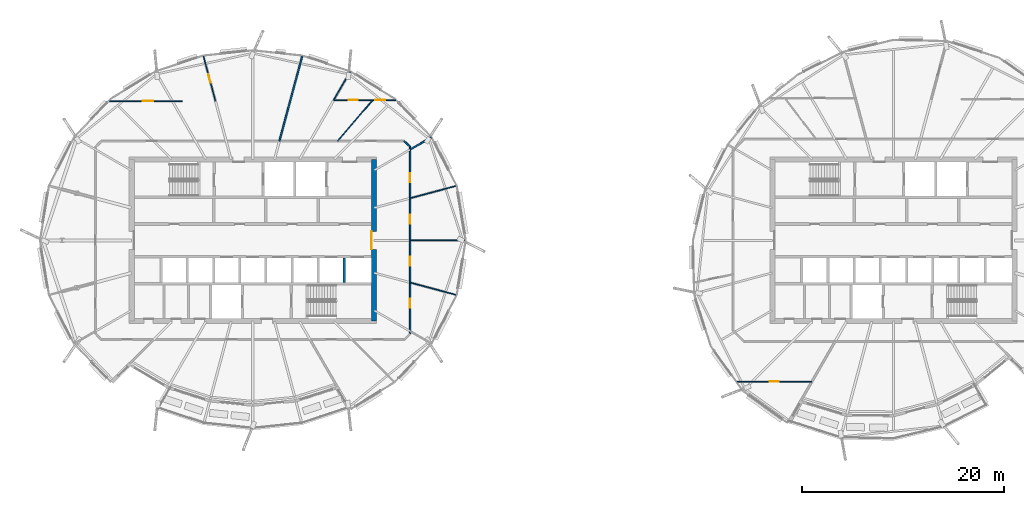
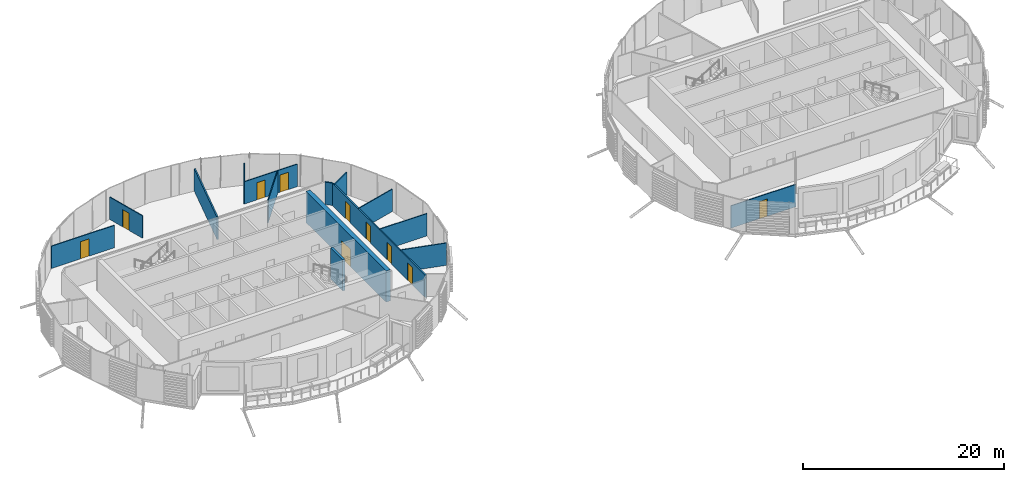
# One storey, part 22 of 41: 16 walls, 10 doors, 10 openings.
"""IFC4 building model written with IfcOpenShell, lengths in metres."""

from ifc_helpers import new_model, si_unit, direction, frame, frame_2d, origin, place, context, subcontext, project, spatial, rectangle, extrude, material, layer, layer_set, type_object, element, fill, save


model = new_model("IFC4")

# Units and contexts
model_context = context("Model", 3, precision=1e-05, world=origin(), true_north=direction((0.0, 1.0)))
body_context = subcontext(model_context, "Body", "Model", "MODEL_VIEW")
ifc_project = project(units=[si_unit("LENGTHUNIT", "METRE"), si_unit("AREAUNIT", "SQUARE_METRE"), si_unit("VOLUMEUNIT", "CUBIC_METRE"), si_unit("PLANEANGLEUNIT", "RADIAN"), si_unit("MASSUNIT", "GRAM", prefix="KILO")], contexts=[model_context])

# Site, building, storey
site_placement = place(None, origin())
site = spatial("IfcSite", under=ifc_project, at=site_placement, CompositionType="ELEMENT")
building_placement = place(site_placement, origin())
building = spatial("IfcBuilding", under=site, at=building_placement, Name="Rimbun Link Towers", CompositionType="ELEMENT")
storey_placement = place(building_placement, frame((0.0, 0.0, 210.5)))
storey = spatial("IfcBuildingStorey", under=building, at=storey_placement, Name="L51", CompositionType="ELEMENT", Elevation=210.5)

# Wall, opening, door
ifc_material_1 = material(Name="Concrete C60/75", Category="concrete")
ifc_layer_1 = layer(ifc_material_1, 0.5)
ifc_layer_set_1 = layer_set([ifc_layer_1], Name="Core shear wall 500")
wall_type_1 = type_object("IfcWallType", Name="Core shear wall 500", PredefinedType="SHEAR", material=ifc_layer_set_1)
wall_1_placement = place(storey_placement, frame((-19.75, -8.0, 0.0), z_axis=(0.0, 0.0, 1.0), x_axis=(0.0, 1.0, 0.0)))
wall_1 = element("IfcWall", 1, at=wall_1_placement, inside=storey, type_object=wall_type_1, Name="L51 T1 core wall E", PredefinedType="SHEAR", context=body_context, shape_type="SweptSolid", body=[
    extrude(rectangle(XDim=16.0, YDim=0.5, at=frame_2d((8.0, 0.0))), origin(), (0.0, 0.0, 1.0), 3.800048828125),
])
opening_1_placement = place(wall_1_placement, frame((7.10009765625, 0.0, 0.0)))
opening_1 = element("IfcOpeningElement", 2, at=opening_1_placement, cuts=wall_1, Name="Opening C1DCL01E", PredefinedType="OPENING", context=body_context, shape_type="SweptSolid", body=[
    extrude(rectangle(XDim=1.800048828125, YDim=2.10009765625, at=frame_2d((0.89990234375, 1.050048828125))), frame((0.0, 0.260009765625, 0.0), z_axis=(0.0, -1.0, 0.0), x_axis=(1.0, 0.0, 0.0)), (0.0, 0.0, 1.0), 0.52001953125),
])
ifc_material_2 = material(Name="Steel fire door set", Category="steel")
door_type_1 = type_object("IfcDoorType", Name="Core lobby door double", OperationType="DOUBLE_DOOR_SINGLE_SWING", PredefinedType="DOOR", material=ifc_material_2)
door_1_placement = place(opening_1_placement, origin())
door_1 = element("IfcDoor", 3, at=door_1_placement, inside=storey, type_object=door_type_1, Name="L51 T1 lift lobby door", OperationType="DOUBLE_DOOR_SINGLE_SWING", OverallHeight=2.10009765625, OverallWidth=1.800048828125, PredefinedType="DOOR", context=body_context, shape_type="SweptSolid", body=[
    extrude(rectangle(XDim=1.800048828125, YDim=2.10009765625, at=frame_2d((0.89990234375, 1.050048828125))), frame((0.0, 0.25, 0.0), z_axis=(0.0, -1.0, 0.0), x_axis=(1.0, 0.0, 0.0)), (0.0, 0.0, 1.0), 0.050048828125),
])
fill(opening_1, door_1)

# Wall
ifc_material_3 = material(Name="Plasterboard on steel stud, mineral wool", Category="steel")
ifc_layer_2 = layer(ifc_material_3, 0.14990234375)
ifc_layer_set_2 = layer_set([ifc_layer_2], Name="Corridor wall EI 30 150 mm")
wall_type_2 = type_object("IfcWallType", Name="Corridor wall EI 30 150 mm", PredefinedType="PARTITIONING", material=ifc_layer_set_2)
wall_2_placement = place(storey_placement, frame((-16.1650390625, 9.263671875, 0.0), z_axis=(0.0, 0.0, 1.0), x_axis=(-0.707106781187, 0.707106781187, 0.0)))
element("IfcWall", 4, at=wall_2_placement, inside=storey, type_object=wall_type_2, Name="Corridor wall EI 30 150 mm", PredefinedType="PARTITIONING", context=body_context, shape_type="SweptSolid", body=[
    extrude(rectangle(XDim=0.822021484375, YDim=0.14990234375, at=frame_2d((0.4111328125, 0.0))), origin(), (0.0, 0.0, 1.0), 2.721923828125),
])

# Wall, openings, doors
wall_3_placement = place(storey_placement, frame((-16.1650390625, 9.263671875, 0.0), z_axis=(0.0, 0.0, 1.0), x_axis=(0.0, -1.0, 0.0)))
wall_3 = element("IfcWall", 5, at=wall_3_placement, inside=storey, type_object=wall_type_2, Name="Corridor wall EI 30 150 mm", PredefinedType="PARTITIONING", context=body_context, shape_type="SweptSolid", body=[
    extrude(rectangle(XDim=18.52734375, YDim=0.14990234375, at=frame_2d((9.263671875, 0.0))), origin(), (0.0, 0.0, 1.0), 2.721923828125),
])
opening_2_placement = place(wall_3_placement, frame((15.041748046875, 0.0, 0.0)))
opening_2 = element("IfcOpeningElement", 6, at=opening_2_placement, cuts=wall_3, Name="Opening D02", PredefinedType="OPENING", context=body_context, shape_type="SweptSolid", body=[
    extrude(rectangle(XDim=0.89990234375, YDim=2.10009765625, at=frame_2d((0.449951171875, 1.050048828125))), frame((0.0, 0.0849609375, 0.0), z_axis=(0.0, -1.0, 0.0), x_axis=(1.0, 0.0, 0.0)), (0.0, 0.0, 1.0), 0.169921875),
])
opening_3_placement = place(wall_3_placement, frame((10.901611328125, 0.0, 0.0)))
opening_3 = element("IfcOpeningElement", 7, at=opening_3_placement, cuts=wall_3, Name="Opening D02", PredefinedType="OPENING", context=body_context, shape_type="SweptSolid", body=[
    extrude(rectangle(XDim=0.89990234375, YDim=2.10009765625, at=frame_2d((0.449951171875, 1.050048828125))), frame((0.0, 0.0849609375, 0.0), z_axis=(0.0, -1.0, 0.0), x_axis=(1.0, 0.0, 0.0)), (0.0, 0.0, 1.0), 0.169921875),
])
opening_4_placement = place(wall_3_placement, frame((6.7255859375, 0.0, 0.0)))
opening_4 = element("IfcOpeningElement", 8, at=opening_4_placement, cuts=wall_3, Name="Opening D02", PredefinedType="OPENING", context=body_context, shape_type="SweptSolid", body=[
    extrude(rectangle(XDim=0.89990234375, YDim=2.10009765625, at=frame_2d((0.449951171875, 1.050048828125))), frame((0.0, 0.0849609375, 0.0), z_axis=(0.0, -1.0, 0.0), x_axis=(1.0, 0.0, 0.0)), (0.0, 0.0, 1.0), 0.169921875),
])
opening_5_placement = place(wall_3_placement, frame((2.585693359375, 0.0, 0.0)))
opening_5 = element("IfcOpeningElement", 9, at=opening_5_placement, cuts=wall_3, Name="Opening D02", PredefinedType="OPENING", context=body_context, shape_type="SweptSolid", body=[
    extrude(rectangle(XDim=0.89990234375, YDim=2.10009765625, at=frame_2d((0.449951171875, 1.050048828125))), frame((0.0, 0.0849609375, 0.0), z_axis=(0.0, -1.0, 0.0), x_axis=(1.0, 0.0, 0.0)), (0.0, 0.0, 1.0), 0.169921875),
])
ifc_material_4 = material(Name="Fire-resisting timber door leaf", Category="wood")
door_type_2 = type_object("IfcDoorType", Name="Fire door FD30S 900", OperationType="NOTDEFINED", PredefinedType="DOOR", material=ifc_material_4)
door_2_placement = place(opening_2_placement, origin())
door_2 = element("IfcDoor", 10, at=door_2_placement, inside=storey, type_object=door_type_2, Name="Fire door FD30S 900 to Open office", OperationType="SINGLE_SWING_LEFT", OverallHeight=2.10009765625, OverallWidth=0.89990234375, PredefinedType="DOOR", context=body_context, shape_type="SweptSolid", body=[
    extrude(rectangle(XDim=0.89990234375, YDim=2.10009765625, at=frame_2d((0.449951171875, 1.050048828125))), frame((0.0, 0.02490234375, 0.0), z_axis=(0.0, -1.0, 0.0), x_axis=(1.0, 0.0, 0.0)), (0.0, 0.0, 1.0), 0.050048828125),
])
fill(opening_2, door_2)
door_3_placement = place(opening_3_placement, origin())
door_3 = element("IfcDoor", 11, at=door_3_placement, inside=storey, type_object=door_type_2, Name="Fire door FD30S 900 to Boardroom", OperationType="SINGLE_SWING_RIGHT", OverallHeight=2.10009765625, OverallWidth=0.89990234375, PredefinedType="DOOR", context=body_context, shape_type="SweptSolid", body=[
    extrude(rectangle(XDim=0.89990234375, YDim=2.10009765625, at=frame_2d((0.449951171875, 1.050048828125))), frame((0.0, 0.02490234375, 0.0), z_axis=(0.0, -1.0, 0.0), x_axis=(1.0, 0.0, 0.0)), (0.0, 0.0, 1.0), 0.050048828125),
])
fill(opening_3, door_3)
door_4_placement = place(opening_4_placement, origin())
door_4 = element("IfcDoor", 12, at=door_4_placement, inside=storey, type_object=door_type_2, Name="Fire door FD30S 900 to Meeting room", OperationType="SINGLE_SWING_LEFT", OverallHeight=2.10009765625, OverallWidth=0.89990234375, PredefinedType="DOOR", context=body_context, shape_type="SweptSolid", body=[
    extrude(rectangle(XDim=0.89990234375, YDim=2.10009765625, at=frame_2d((0.449951171875, 1.050048828125))), frame((0.0, 0.02490234375, 0.0), z_axis=(0.0, -1.0, 0.0), x_axis=(1.0, 0.0, 0.0)), (0.0, 0.0, 1.0), 0.050048828125),
])
fill(opening_4, door_4)
door_5_placement = place(opening_5_placement, origin())
door_5 = element("IfcDoor", 13, at=door_5_placement, inside=storey, type_object=door_type_2, Name="Fire door FD30S 900 to Executive office", OperationType="SINGLE_SWING_RIGHT", OverallHeight=2.10009765625, OverallWidth=0.89990234375, PredefinedType="DOOR", context=body_context, shape_type="SweptSolid", body=[
    extrude(rectangle(XDim=0.89990234375, YDim=2.10009765625, at=frame_2d((0.449951171875, 1.050048828125))), frame((0.0, 0.02490234375, 0.0), z_axis=(0.0, -1.0, 0.0), x_axis=(1.0, 0.0, 0.0)), (0.0, 0.0, 1.0), 0.050048828125),
])
fill(opening_5, door_5)

# Walls
ifc_material_5 = material(Name="Plasterboard on steel stud", Category="steel")
ifc_layer_3 = layer(ifc_material_5, 0.10009765625)
ifc_layer_set_3 = layer_set([ifc_layer_3], Name="Plasterboard partition 100 mm")
wall_type_3 = type_object("IfcWallType", Name="Plasterboard partition 100 mm", PredefinedType="PARTITIONING", material=ifc_layer_set_3)
wall_4_placement = place(storey_placement, frame((-11.57861328125, -5.40478515625, 0.0), z_axis=(0.0, 0.0, 1.0), x_axis=(-0.96593474065, 0.258785773964, 0.0)))
element("IfcWall", 14, at=wall_4_placement, inside=storey, type_object=wall_type_3, Name="Plasterboard partition 100 mm", PredefinedType="PARTITIONING", context=body_context, shape_type="SweptSolid", body=[
    extrude(rectangle(XDim=4.748291015625, YDim=0.10009765625, at=frame_2d((2.3740234375, 0.0))), origin(), (0.0, 0.0, 1.0), 2.721923828125),
])
wall_5_placement = place(storey_placement, frame((-10.689697265625, 0.0, 0.0), z_axis=(0.0, 0.0, 1.0), x_axis=(-1.0, 0.0, 0.0)))
element("IfcWall", 15, at=wall_5_placement, inside=storey, type_object=wall_type_3, Name="Plasterboard partition 100 mm", PredefinedType="PARTITIONING", context=body_context, shape_type="SweptSolid", body=[
    extrude(rectangle(XDim=5.475341796875, YDim=0.10009765625, at=frame_2d((2.73779296875, 0.0))), origin(), (0.0, 0.0, 1.0), 2.721923828125),
])
wall_6_placement = place(storey_placement, frame((-11.57861328125, 5.40478515625, 0.0), z_axis=(0.0, 0.0, 1.0), x_axis=(-0.96593474065, -0.258785773964, 0.0)))
element("IfcWall", 16, at=wall_6_placement, inside=storey, type_object=wall_type_3, Name="Plasterboard partition 100 mm", PredefinedType="PARTITIONING", context=body_context, shape_type="SweptSolid", body=[
    extrude(rectangle(XDim=4.748291015625, YDim=0.10009765625, at=frame_2d((2.3740234375, 0.0))), origin(), (0.0, 0.0, 1.0), 2.721923828125),
])

# Wall, opening, door
wall_7_placement = place(storey_placement, frame((-19.916259765625, 13.89501953125, 0.0), z_axis=(0.0, 0.0, 1.0), x_axis=(1.0, 0.0, 0.0)))
wall_7 = element("IfcWall", 17, at=wall_7_placement, inside=storey, type_object=wall_type_3, Name="Plasterboard partition 100 mm", PredefinedType="PARTITIONING", context=body_context, shape_type="SweptSolid", body=[
    extrude(rectangle(XDim=2.318603515625, YDim=0.10009765625, at=frame_2d((1.1591796875, 0.0))), origin(), (0.0, 0.0, 1.0), 2.721923828125),
])
opening_6_placement = place(wall_7_placement, frame((0.300048828125, 0.0, 0.0)))
opening_6 = element("IfcOpeningElement", 18, at=opening_6_placement, cuts=wall_7, Name="Opening D03", PredefinedType="OPENING", context=body_context, shape_type="SweptSolid", body=[
    extrude(rectangle(XDim=1.0, YDim=2.10009765625, at=frame_2d((0.5, 1.050048828125))), frame((0.0, 0.06005859375, 0.0), z_axis=(0.0, -1.0, 0.0), x_axis=(1.0, 0.0, 0.0)), (0.0, 0.0, 1.0), 0.1201171875),
])
ifc_material_6 = material(Name="Timber door leaf", Category="wood")
door_type_3 = type_object("IfcDoorType", Name="Flush door 1000", OperationType="NOTDEFINED", PredefinedType="DOOR", material=ifc_material_6)
door_6_placement = place(opening_6_placement, origin())
door_6 = element("IfcDoor", 19, at=door_6_placement, inside=storey, type_object=door_type_3, Name="Flush door 1000 to Boardroom", OperationType="SINGLE_SWING_LEFT", OverallHeight=2.10009765625, OverallWidth=1.0, PredefinedType="DOOR", context=body_context, shape_type="SweptSolid", body=[
    extrude(rectangle(XDim=1.0, YDim=2.10009765625, at=frame_2d((0.5, 1.050048828125))), frame((0.0, 0.02490234375, 0.0), z_axis=(0.0, -1.0, 0.0), x_axis=(1.0, 0.0, 0.0)), (0.0, 0.0, 1.0), 0.050048828125),
])
fill(opening_6, door_6)

# Wall
wall_8_placement = place(storey_placement, frame((-19.876708984375, 13.89501953125, 0.0), z_axis=(0.0, 0.0, 1.0), x_axis=(-0.649624395517, -0.760255315502, 0.0)))
element("IfcWall", 20, at=wall_8_placement, inside=storey, type_object=wall_type_3, Name="Plasterboard partition 100 mm", PredefinedType="PARTITIONING", context=body_context, shape_type="SweptSolid", body=[
    extrude(rectangle(XDim=5.3271484375, YDim=0.10009765625, at=frame_2d((2.66357421875, 0.0))), origin(), (0.0, 0.0, 1.0), 2.721923828125),
])

# Wall, opening, door
wall_9_placement = place(storey_placement, frame((-19.876708984375, 13.89501953125, 0.0), z_axis=(0.0, 0.0, 1.0), x_axis=(-1.0, 0.0, 0.0)))
wall_9 = element("IfcWall", 21, at=wall_9_placement, inside=storey, type_object=wall_type_3, Name="Plasterboard partition 100 mm", PredefinedType="PARTITIONING", context=body_context, shape_type="SweptSolid", body=[
    extrude(rectangle(XDim=3.85107421875, YDim=0.10009765625, at=frame_2d((1.925537109375, 0.0))), origin(), (0.0, 0.0, 1.0), 2.721923828125),
])
opening_7_placement = place(wall_9_placement, frame((1.475341796875, 0.0, 0.0)))
opening_7 = element("IfcOpeningElement", 22, at=opening_7_placement, cuts=wall_9, Name="Opening D04", PredefinedType="OPENING", context=body_context, shape_type="SweptSolid", body=[
    extrude(rectangle(XDim=0.89990234375, YDim=2.10009765625, at=frame_2d((0.449951171875, 1.050048828125))), frame((0.0, 0.06005859375, 0.0), z_axis=(0.0, -1.0, 0.0), x_axis=(1.0, 0.0, 0.0)), (0.0, 0.0, 1.0), 0.1201171875),
])
ifc_material_7 = material(Name="Timber door leaf", Category="wood")
door_type_4 = type_object("IfcDoorType", Name="Flush door 900", OperationType="NOTDEFINED", PredefinedType="DOOR", material=ifc_material_7)
door_7_placement = place(opening_7_placement, origin())
door_7 = element("IfcDoor", 23, at=door_7_placement, inside=storey, type_object=door_type_4, Name="Flush door 900 to Meeting room", OperationType="SINGLE_SWING_RIGHT", OverallHeight=2.10009765625, OverallWidth=0.89990234375, PredefinedType="DOOR", context=body_context, shape_type="SweptSolid", body=[
    extrude(rectangle(XDim=0.89990234375, YDim=2.10009765625, at=frame_2d((0.449951171875, 1.050048828125))), frame((0.0, 0.02490234375, 0.0), z_axis=(0.0, -1.0, 0.0), x_axis=(1.0, 0.0, 0.0)), (0.0, 0.0, 1.0), 0.050048828125),
])
fill(opening_7, door_7)

# Wall
wall_10_placement = place(storey_placement, frame((-22.100341796875, 16.713623046875, 0.0), z_axis=(0.0, 0.0, 1.0), x_axis=(-0.500027630784, -0.866009450556, 0.0)))
element("IfcWall", 24, at=wall_10_placement, inside=storey, type_object=wall_type_3, Name="Plasterboard partition 100 mm", PredefinedType="PARTITIONING", context=body_context, shape_type="SweptSolid", body=[
    extrude(rectangle(XDim=3.254638671875, YDim=0.10009765625, at=frame_2d((1.62744140625, 0.0))), origin(), (0.0, 0.0, 1.0), 2.721923828125),
])

# Wall, opening, door
wall_11_placement = place(storey_placement, frame((-46.003662109375, 13.804931640625, 0.0), z_axis=(0.0, 0.0, 1.0), x_axis=(1.0, 0.0, 0.0)))
wall_11 = element("IfcWall", 25, at=wall_11_placement, inside=storey, type_object=wall_type_3, Name="Plasterboard partition 100 mm", PredefinedType="PARTITIONING", context=body_context, shape_type="SweptSolid", body=[
    extrude(rectangle(XDim=7.277587890625, YDim=0.10009765625, at=frame_2d((3.638671875, 0.0))), origin(), (0.0, 0.0, 1.0), 2.721923828125),
])
opening_8_placement = place(wall_11_placement, frame((3.36328125, 0.0, 0.0)))
opening_8 = element("IfcOpeningElement", 26, at=opening_8_placement, cuts=wall_11, Name="Opening D03", PredefinedType="OPENING", context=body_context, shape_type="SweptSolid", body=[
    extrude(rectangle(XDim=1.0, YDim=2.10009765625, at=frame_2d((0.5, 1.050048828125))), frame((0.0, 0.06005859375, 0.0), z_axis=(0.0, -1.0, 0.0), x_axis=(1.0, 0.0, 0.0)), (0.0, 0.0, 1.0), 0.1201171875),
])
door_8_placement = place(opening_8_placement, origin())
door_8 = element("IfcDoor", 27, at=door_8_placement, inside=storey, type_object=door_type_3, Name="Flush door 1000 to Open office", OperationType="SINGLE_SWING_LEFT", OverallHeight=2.10009765625, OverallWidth=1.0, PredefinedType="DOOR", context=body_context, shape_type="SweptSolid", body=[
    extrude(rectangle(XDim=1.0, YDim=2.10009765625, at=frame_2d((0.5, 1.050048828125))), frame((0.0, 0.02490234375, 0.0), z_axis=(0.0, -1.0, 0.0), x_axis=(1.0, 0.0, 0.0)), (0.0, 0.0, 1.0), 0.050048828125),
])
fill(opening_8, door_8)

wall_12_placement = place(storey_placement, frame((-36.650146484375, 18.28759765625, 0.0), z_axis=(0.0, 0.0, 1.0), x_axis=(0.258779035432, -0.96593654596, 0.0)))
wall_12 = element("IfcWall", 28, at=wall_12_placement, inside=storey, type_object=wall_type_3, Name="Plasterboard partition 100 mm", PredefinedType="PARTITIONING", context=body_context, shape_type="SweptSolid", body=[
    extrude(rectangle(XDim=4.640625, YDim=0.10009765625, at=frame_2d((2.3203125, 0.0))), origin(), (0.0, 0.0, 1.0), 2.721923828125),
])
opening_9_placement = place(wall_12_placement, frame((1.870361328125, 0.0, 0.0)))
opening_9 = element("IfcOpeningElement", 29, at=opening_9_placement, cuts=wall_12, Name="Opening D04", PredefinedType="OPENING", context=body_context, shape_type="SweptSolid", body=[
    extrude(rectangle(XDim=0.89990234375, YDim=2.10009765625, at=frame_2d((0.449951171875, 1.050048828125))), frame((0.0, 0.06005859375, 0.0), z_axis=(0.0, -1.0, 0.0), x_axis=(1.0, 0.0, 0.0)), (0.0, 0.0, 1.0), 0.1201171875),
])
door_9_placement = place(opening_9_placement, origin())
door_9 = element("IfcDoor", 30, at=door_9_placement, inside=storey, type_object=door_type_4, Name="Flush door 900 to Executive office", OperationType="SINGLE_SWING_RIGHT", OverallHeight=2.10009765625, OverallWidth=0.89990234375, PredefinedType="DOOR", context=body_context, shape_type="SweptSolid", body=[
    extrude(rectangle(XDim=0.89990234375, YDim=2.10009765625, at=frame_2d((0.449951171875, 1.050048828125))), frame((0.0, 0.02490234375, 0.0), z_axis=(0.0, -1.0, 0.0), x_axis=(1.0, 0.0, 0.0)), (0.0, 0.0, 1.0), 0.050048828125),
])
fill(opening_9, door_9)

wall_13_placement = place(storey_placement, frame((23.664306640625, -14.0048828125, 0.0), z_axis=(0.0, 0.0, 1.0), x_axis=(-1.0, 0.0, 0.0)))
wall_13 = element("IfcWall", 31, at=wall_13_placement, inside=storey, type_object=wall_type_3, Name="Plasterboard partition 100 mm", PredefinedType="PARTITIONING", context=body_context, shape_type="SweptSolid", body=[
    extrude(rectangle(XDim=7.4423828125, YDim=0.10009765625, at=frame_2d((3.72119140625, 0.0))), origin(), (0.0, 0.0, 1.0), 2.721923828125),
])
opening_10_placement = place(wall_13_placement, frame((3.271240234375, 0.0, 0.0)))
opening_10 = element("IfcOpeningElement", 32, at=opening_10_placement, cuts=wall_13, Name="Opening D04", PredefinedType="OPENING", context=body_context, shape_type="SweptSolid", body=[
    extrude(rectangle(XDim=0.89990234375, YDim=2.10009765625, at=frame_2d((0.449951171875, 1.050048828125))), frame((0.0, 0.06005859375, 0.0), z_axis=(0.0, -1.0, 0.0), x_axis=(1.0, 0.0, 0.0)), (0.0, 0.0, 1.0), 0.1201171875),
])
door_10_placement = place(opening_10_placement, origin())
door_10 = element("IfcDoor", 33, at=door_10_placement, inside=storey, type_object=door_type_4, Name="Flush door 900 to Executive office", OperationType="SINGLE_SWING_RIGHT", OverallHeight=2.10009765625, OverallWidth=0.89990234375, PredefinedType="DOOR", context=body_context, shape_type="SweptSolid", body=[
    extrude(rectangle(XDim=0.89990234375, YDim=2.10009765625, at=frame_2d((0.449951171875, 1.050048828125))), frame((0.0, 0.02490234375, 0.0), z_axis=(0.0, -1.0, 0.0), x_axis=(1.0, 0.0, 0.0)), (0.0, 0.0, 1.0), 0.050048828125),
])
fill(opening_10, door_10)

# Walls
ifc_material_8 = material(Name="Concrete C60/75", Category="concrete")
ifc_layer_4 = layer(ifc_material_8, 0.25)
ifc_layer_set_4 = layer_set([ifc_layer_4], Name="Shaft wall 250")
wall_type_4 = type_object("IfcWallType", Name="Shaft wall 250", PredefinedType="SHEAR", material=ifc_layer_set_4)
wall_14_placement = place(storey_placement, frame((-22.66943359375, -4.14990234375, 0.0), z_axis=(0.0, 0.0, 1.0), x_axis=(0.0, 1.0, 0.0)))
element("IfcWall", 34, at=wall_14_placement, inside=storey, type_object=wall_type_4, Name="L51 T1 core wall DS7", PredefinedType="SHEAR", context=body_context, shape_type="SweptSolid", body=[
    extrude(rectangle(XDim=2.39990234375, YDim=0.25, at=frame_2d((1.199951171875, 0.0))), origin(), (0.0, 0.0, 1.0), 3.800048828125),
])
ifc_material_9 = material(Name="Plasterboard on steel stud, mineral wool", Category="steel")
ifc_layer_5 = layer(ifc_material_9, 0.14990234375)
ifc_layer_set_5 = layer_set([ifc_layer_5], Name="Tenancy separation wall EI 60 150 mm")
wall_type_5 = type_object("IfcWallType", Name="Tenancy separation wall EI 60 150 mm", PredefinedType="PARTITIONING", material=ifc_layer_set_5)
wall_15_placement = place(storey_placement, frame((-16.1650390625, 8.998046875, 0.0), z_axis=(0.0, 0.0, 1.0), x_axis=(0.866016233231, 0.500015883528, 0.0)))
element("IfcWall", 35, at=wall_15_placement, inside=storey, type_object=wall_type_5, Name="Tenancy separation wall EI 60 150 mm", PredefinedType="PARTITIONING", context=body_context, shape_type="SweptSolid", body=[
    extrude(rectangle(XDim=2.4248046875, YDim=0.14990234375, at=frame_2d((1.21240234375, 0.0))), origin(), (0.0, 0.0, 1.0), 2.721923828125),
])
wall_16_placement = place(storey_placement, frame((-29.112060546875, 9.844970703125, 0.0), z_axis=(0.0, 0.0, 1.0), x_axis=(0.258820321487, 0.965925484282, 0.0)))
element("IfcWall", 36, at=wall_16_placement, inside=storey, type_object=wall_type_5, Name="Tenancy separation wall EI 60 150 mm", PredefinedType="PARTITIONING", context=body_context, shape_type="SweptSolid", body=[
    extrude(rectangle(XDim=8.740478515625, YDim=0.14990234375, at=frame_2d((4.3701171875, 0.0))), origin(), (0.0, 0.0, 1.0), 2.721923828125),
])

save(model, "model.ifc")
